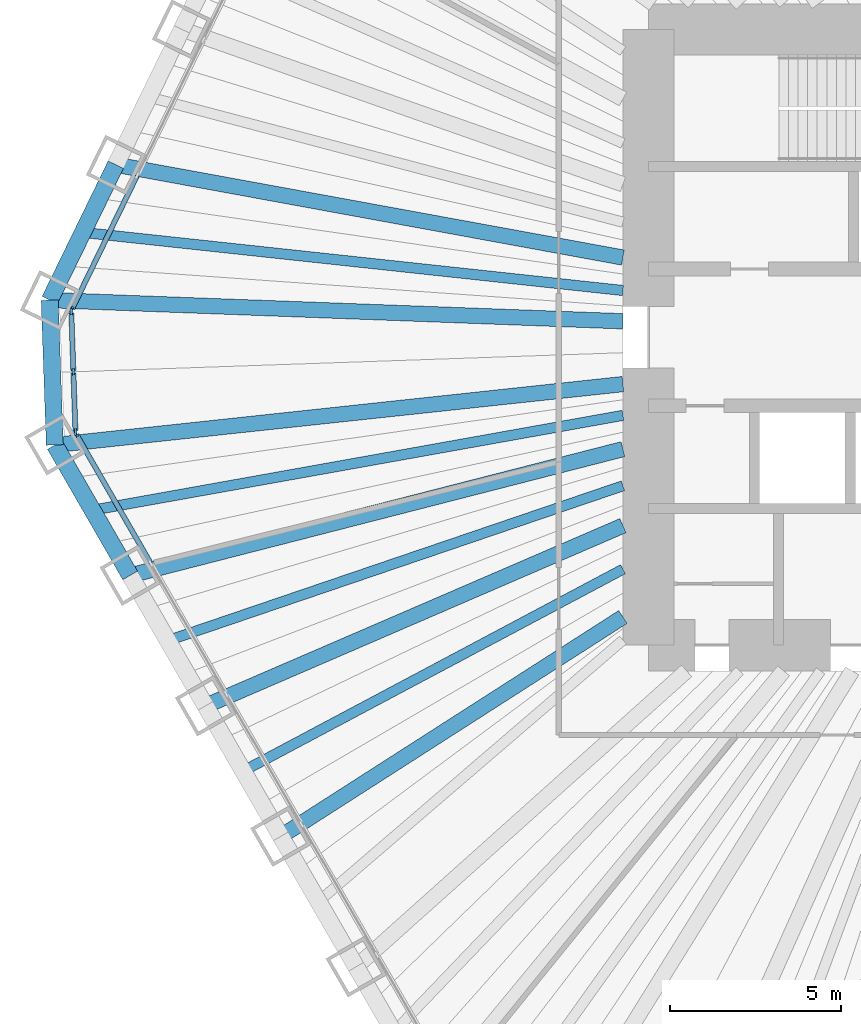
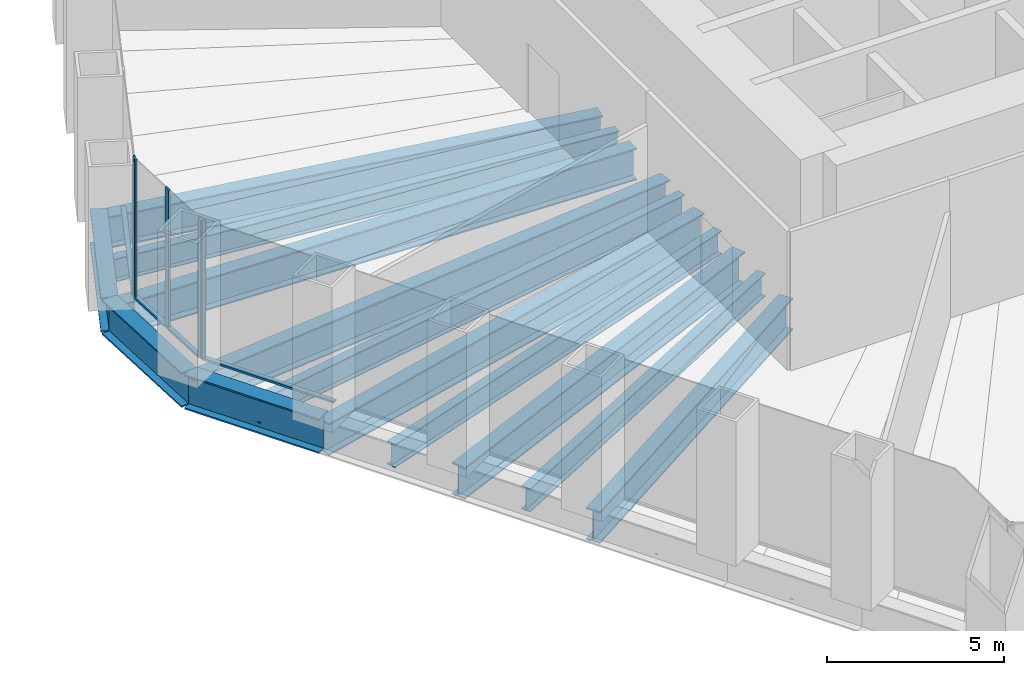
# One storey, part 3 of 13: 13 beams, 9 members, 3 elements without a shape of their own.
"""IFC4 building model written with IfcOpenShell, lengths in metres."""

from ifc_helpers import new_model, si_unit, direction, frame, origin, origin_2d, place, context, subcontext, project, spatial, rectangle, i_section, extrude, material, material_profile, profile_set, type_object, element, aggregate, save


model = new_model("IFC4")

# Units and contexts
model_context = context("Model", 3, precision=1e-05, world=origin(), true_north=direction((0.0, 1.0)))
body_context = subcontext(model_context, "Body", "Model", "MODEL_VIEW")
ifc_project = project(units=[si_unit("LENGTHUNIT", "METRE"), si_unit("AREAUNIT", "SQUARE_METRE"), si_unit("VOLUMEUNIT", "CUBIC_METRE"), si_unit("PLANEANGLEUNIT", "RADIAN"), si_unit("MASSUNIT", "GRAM", prefix="KILO")], contexts=[model_context])

# Site, building, storey
site_placement = place(None, origin())
site = spatial("IfcSite", under=ifc_project, at=site_placement, CompositionType="ELEMENT")
building_placement = place(site_placement, origin())
building = spatial("IfcBuilding", under=site, at=building_placement, Name="Qingtian Harvest Tower", CompositionType="ELEMENT")
storey_placement = place(building_placement, frame((0.0, 0.0, 72.0)))
storey = spatial("IfcBuildingStorey", under=building, at=storey_placement, Name="L14", CompositionType="ELEMENT", Elevation=72.0)

# Beams
ifc_material_1 = material(Name="Steel SM570MC", Category="steel")
ifc_material_profile_1 = material_profile(ifc_material_1, i_section(OverallWidth=0.449951171875, OverallDepth=1.10009765625, WebThickness=0.02197265625, FlangeThickness=0.044921875, at=origin_2d()), Name="H1100x450x22x45")
ifc_profile_set_1 = profile_set([ifc_material_profile_1], Name="Steel SM570MC")
beam_type_1 = type_object("IfcBeamType", Name="Corner floor beam FB8 H1100x450x22x45", PredefinedType="BEAM", material=ifc_profile_set_1)
beam_1_placement = place(storey_placement, frame((-29.36083984375, -3.145751953125, -0.75), z_axis=(0.994308822197, 0.106536219669, 0.0), x_axis=(-0.106536219669, 0.994308822197, 0.0)))
element("IfcBeam", 1, at=beam_1_placement, inside=storey, type_object=beam_type_1, Name="Floor beam FB8 SW6", PredefinedType="BEAM", context=body_context, shape_type="SweptSolid", body=[
    extrude(i_section(OverallWidth=0.449951171875, OverallDepth=1.10009765625, WebThickness=0.02197265625, FlangeThickness=0.044921875, at=origin_2d()), origin(), (0.0, 0.0, 1.0), 16.705810546875),
])
beam_2_placement = place(storey_placement, frame((-29.5087890625, 1.08984375, -0.75), z_axis=(0.999318796571, -0.036904509488, 0.0), x_axis=(0.036904509488, 0.999318796571, 0.0)))
element("IfcBeam", 2, at=beam_2_placement, inside=storey, type_object=beam_type_1, Name="Floor beam FB8 NW0", PredefinedType="BEAM", context=body_context, shape_type="SweptSolid", body=[
    extrude(i_section(OverallWidth=0.449951171875, OverallDepth=1.10009765625, WebThickness=0.02197265625, FlangeThickness=0.044921875, at=origin_2d()), origin(), (0.0, 0.0, 1.0), 16.770263671875),
])
ifc_material_2 = material(Name="Steel SM570MC", Category="steel")
ifc_material_profile_2 = material_profile(ifc_material_2, i_section(OverallWidth=0.449951171875, OverallDepth=1.10009765625, WebThickness=0.02197265625, FlangeThickness=0.044921875, at=origin_2d()), Name="H1100x450x22x45")
ifc_profile_set_2 = profile_set([ifc_material_profile_2], Name="Steel SM570MC")
beam_type_2 = type_object("IfcBeamType", Name="Floor beam FB1 H1100x450x22x45", PredefinedType="BEAM", material=ifc_profile_set_2)
beam_3_placement = place(storey_placement, frame((-22.75390625, -14.589111328125, -0.75), z_axis=(0.841829353865, 0.539743771591, 0.0), x_axis=(-0.539743771591, 0.841829353865, 0.0)))
element("IfcBeam", 3, at=beam_3_placement, inside=storey, type_object=beam_type_2, Name="Floor beam FB1 SW3", PredefinedType="BEAM", context=body_context, shape_type="SweptSolid", body=[
    extrude(i_section(OverallWidth=0.449951171875, OverallDepth=1.10009765625, WebThickness=0.02197265625, FlangeThickness=0.044921875, at=origin_2d()), origin(), (0.0, 0.0, 1.0), 11.883544921875),
])
beam_4_placement = place(storey_placement, frame((-24.9560546875, -10.774658203125, -0.75), z_axis=(0.918083617325, 0.396386770213, 0.0), x_axis=(-0.396386770213, 0.918083617325, 0.0)))
element("IfcBeam", 4, at=beam_4_placement, inside=storey, type_object=beam_type_2, Name="Floor beam FB1 SW4", PredefinedType="BEAM", context=body_context, shape_type="SweptSolid", body=[
    extrude(i_section(OverallWidth=0.449951171875, OverallDepth=1.10009765625, WebThickness=0.02197265625, FlangeThickness=0.044921875, at=origin_2d()), origin(), (0.0, 0.0, 1.0), 13.295166015625),
])
beam_5_placement = place(storey_placement, frame((-27.158447265625, -6.960205078125, -0.75), z_axis=(0.968693729942, 0.248258851947, 0.0), x_axis=(-0.248258851947, 0.968693729942, 0.0)))
element("IfcBeam", 5, at=beam_5_placement, inside=storey, type_object=beam_type_2, Name="Floor beam FB1 SW5", PredefinedType="BEAM", context=body_context, shape_type="SweptSolid", body=[
    extrude(i_section(OverallWidth=0.449951171875, OverallDepth=1.10009765625, WebThickness=0.02197265625, FlangeThickness=0.044921875, at=origin_2d()), origin(), (0.0, 0.0, 1.0), 14.8740234375),
])
beam_6_placement = place(storey_placement, frame((-27.577880859375, 5.048828125, -0.75), z_axis=(0.98365177106, -0.180081074215, 0.0), x_axis=(0.180081074215, 0.98365177106, 0.0)))
element("IfcBeam", 6, at=beam_6_placement, inside=storey, type_object=beam_type_2, Name="Floor beam FB1 NW1", PredefinedType="BEAM", context=body_context, shape_type="SweptSolid", body=[
    extrude(i_section(OverallWidth=0.449951171875, OverallDepth=1.10009765625, WebThickness=0.02197265625, FlangeThickness=0.044921875, at=origin_2d()), origin(), (0.0, 0.0, 1.0), 15.07421875),
])
ifc_material_3 = material(Name="Steel SN490B", Category="steel")
ifc_material_profile_3 = material_profile(ifc_material_3, i_section(OverallWidth=0.300048828125, OverallDepth=0.800048828125, WebThickness=0.013916015625, FlangeThickness=0.02587890625, at=origin_2d()), Name="H800x300x14x26")
ifc_profile_set_3 = profile_set([ifc_material_profile_3], Name="Steel SN490B")
beam_type_3 = type_object("IfcBeamType", Name="Floor joist J1 H800x300x14x26", PredefinedType="JOIST", material=ifc_profile_set_3)
beam_7_placement = place(storey_placement, frame((-23.85498046875, -12.681884765625, -0.60009765625), z_axis=(0.882982474604, 0.469405953885, 0.0), x_axis=(-0.469405953885, 0.882982474604, 0.0)))
element("IfcBeam", 7, at=beam_7_placement, inside=storey, type_object=beam_type_3, Name="Floor joist J1 SW3", PredefinedType="JOIST", context=body_context, shape_type="SweptSolid", body=[
    extrude(i_section(OverallWidth=0.300048828125, OverallDepth=0.800048828125, WebThickness=0.013916015625, FlangeThickness=0.02587890625, at=origin_2d()), origin(), (0.0, 0.0, 1.0), 12.57666015625),
])
beam_8_placement = place(storey_placement, frame((-26.057373046875, -8.867431640625, -0.60009765625), z_axis=(0.946684735425, 0.322161468387, 0.0), x_axis=(-0.322161468387, 0.946684735425, 0.0)))
element("IfcBeam", 8, at=beam_8_placement, inside=storey, type_object=beam_type_3, Name="Floor joist J1 SW4", PredefinedType="JOIST", context=body_context, shape_type="SweptSolid", body=[
    extrude(i_section(OverallWidth=0.300048828125, OverallDepth=0.800048828125, WebThickness=0.013916015625, FlangeThickness=0.02587890625, at=origin_2d()), origin(), (0.0, 0.0, 1.0), 14.056884765625),
])
beam_9_placement = place(storey_placement, frame((-28.259521484375, -5.052978515625, -0.60009765625), z_axis=(0.984387614034, 0.176014275943, 0.0), x_axis=(-0.176014275943, 0.984387614034, 0.0)))
element("IfcBeam", 9, at=beam_9_placement, inside=storey, type_object=beam_type_3, Name="Floor joist J1 SW5", PredefinedType="JOIST", context=body_context, shape_type="SweptSolid", body=[
    extrude(i_section(OverallWidth=0.300048828125, OverallDepth=0.800048828125, WebThickness=0.013916015625, FlangeThickness=0.02587890625, at=origin_2d()), origin(), (0.0, 0.0, 1.0), 15.755615234375),
])
beam_10_placement = place(storey_placement, frame((-28.543212890625, 3.0693359375, -0.60009765625), z_axis=(0.994268320665, -0.106913546948, 0.0), x_axis=(0.106913546948, 0.994268320665, 0.0)))
element("IfcBeam", 10, at=beam_10_placement, inside=storey, type_object=beam_type_3, Name="Floor joist J1 NW0", PredefinedType="JOIST", context=body_context, shape_type="SweptSolid", body=[
    extrude(i_section(OverallWidth=0.300048828125, OverallDepth=0.800048828125, WebThickness=0.013916015625, FlangeThickness=0.02587890625, at=origin_2d()), origin(), (0.0, 0.0, 1.0), 15.88427734375),
])

# Curtain wall, member
ifc_material_4 = material(Name="Bronze-anodised aluminium curtain wall", Category="aluminium")
curtain_wall_type = type_object("IfcCurtainWallType", Name="Curtain wall CW2 farm reception", PredefinedType="USERDEFINED", material=ifc_material_4)
curtain_wall_1_placement = place(storey_placement, origin())
curtain_wall_1 = element("IfcCurtainWall", 11, at=curtain_wall_1_placement, inside=storey, type_object=curtain_wall_type, Name="Curtain wall CW2 L14 SW0-5", ObjectType="RECESSED CURTAIN WALL", PredefinedType="USERDEFINED")
ifc_material_5 = material(Name="Bronze-anodised aluminium mullion", Category="aluminium")
ifc_material_profile_4 = material_profile(ifc_material_5, rectangle(XDim=0.06494140625, YDim=0.199951171875, at=origin_2d()), Name="AL 65x200")
ifc_profile_set_4 = profile_set([ifc_material_profile_4], Name="Bronze-anodised aluminium mullion")
member_type_1 = type_object("IfcMemberType", Name="Mullion CWM 65x200", PredefinedType="MULLION", material=ifc_profile_set_4)
member_1_placement = place(storey_placement, frame((-28.73828125, -2.82373046875, 0.0), z_axis=(0.0, 0.0, 1.0), x_axis=(-0.866025403784, -0.5, 0.0)))
member_1 = element("IfcMember", 12, at=member_1_placement, type_object=member_type_1, Name="CW2 mullion 7", PredefinedType="MULLION", context=body_context, shape_type="SweptSolid", body=[
    extrude(rectangle(XDim=0.06494140625, YDim=0.199951171875, at=origin_2d()), origin(), (0.0, 0.0, 1.0), 4.800048828125),
])

# Curtain wall, members
curtain_wall_2_placement = place(storey_placement, origin())
curtain_wall_2 = element("IfcCurtainWall", 13, at=curtain_wall_2_placement, inside=storey, type_object=curtain_wall_type, Name="Curtain wall CW2 L14 SWC", ObjectType="RECESSED CURTAIN WALL", PredefinedType="USERDEFINED")
member_2_placement = place(storey_placement, frame((-28.755615234375, -2.76318359375, 0.0), z_axis=(0.0, 0.0, 1.0), x_axis=(-0.999390827019, -0.034899496703, 0.0)))
member_2 = element("IfcMember", 14, at=member_2_placement, type_object=member_type_1, Name="CW2 mullion 1", PredefinedType="MULLION", context=body_context, shape_type="SweptSolid", body=[
    extrude(rectangle(XDim=0.06494140625, YDim=0.199951171875, at=origin_2d()), origin(), (0.0, 0.0, 1.0), 4.800048828125),
])
member_3_placement = place(storey_placement, frame((-28.817138671875, -1.00634765625, 0.0), z_axis=(0.0, 0.0, 1.0), x_axis=(-0.999390827019, -0.034899496703, 0.0)))
member_3 = element("IfcMember", 15, at=member_3_placement, type_object=member_type_1, Name="CW2 mullion 2", PredefinedType="MULLION", context=body_context, shape_type="SweptSolid", body=[
    extrude(rectangle(XDim=0.06494140625, YDim=0.199951171875, at=origin_2d()), origin(), (0.0, 0.0, 1.0), 4.800048828125),
])
member_4_placement = place(storey_placement, frame((-28.87841796875, 0.75048828125, 0.0), z_axis=(0.0, 0.0, 1.0), x_axis=(-0.999390827019, -0.034899496703, 0.0)))
member_4 = element("IfcMember", 16, at=member_4_placement, type_object=member_type_1, Name="CW2 mullion 3", PredefinedType="MULLION", context=body_context, shape_type="SweptSolid", body=[
    extrude(rectangle(XDim=0.06494140625, YDim=0.199951171875, at=origin_2d()), origin(), (0.0, 0.0, 1.0), 4.800048828125),
])

# Curtain wall, member
curtain_wall_3_placement = place(storey_placement, origin())
curtain_wall_3 = element("IfcCurtainWall", 17, at=curtain_wall_3_placement, inside=storey, type_object=curtain_wall_type, Name="Curtain wall CW2 L14 NW0-5", ObjectType="RECESSED CURTAIN WALL", PredefinedType="USERDEFINED")
member_5_placement = place(storey_placement, frame((-28.865234375, 0.812255859375, 0.0), z_axis=(0.0, 0.0, 1.0), x_axis=(-0.898794046299, 0.438371146789, 0.0)))
member_5 = element("IfcMember", 18, at=member_5_placement, type_object=member_type_1, Name="CW2 mullion 1", PredefinedType="MULLION", context=body_context, shape_type="SweptSolid", body=[
    extrude(rectangle(XDim=0.06494140625, YDim=0.199951171875, at=origin_2d()), origin(), (0.0, 0.0, 1.0), 4.800048828125),
])

# Beams
ifc_material_6 = material(Name="Steel SM570MC", Category="steel")
ifc_material_profile_5 = material_profile(ifc_material_6, i_section(OverallWidth=0.5, OverallDepth=1.199951171875, WebThickness=0.02490234375, FlangeThickness=0.050048828125, at=origin_2d()), Name="H1200x500x25x50")
ifc_profile_set_5 = profile_set([ifc_material_profile_5], Name="Steel SM570MC")
beam_type_4 = type_object("IfcBeamType", Name="Spandrel beam SB1 H1200x500x25x50", PredefinedType="SPANDREL", material=ifc_profile_set_5)
beam_11_placement = place(storey_placement, frame((-27.158447265625, -6.960205078125, -0.60009765625), z_axis=(-0.50001992892, 0.866013897511, 0.0), x_axis=(-0.866013897511, -0.50001992892, 0.0)))
element("IfcBeam", 19, at=beam_11_placement, inside=storey, type_object=beam_type_4, Name="Spandrel SB1 SW5", PredefinedType="SPANDREL", context=body_context, shape_type="SweptSolid", body=[
    extrude(i_section(OverallWidth=0.5, OverallDepth=1.199951171875, WebThickness=0.02490234375, FlangeThickness=0.050048828125, at=origin_2d()), origin(), (0.0, 0.0, 1.0), 4.404541015625),
])
beam_12_placement = place(storey_placement, frame((-29.36083984375, -3.145751953125, -0.60009765625), z_axis=(-0.034908677553, 0.999390506375, 0.0), x_axis=(-0.999390506375, -0.034908677553, 0.0)))
element("IfcBeam", 20, at=beam_12_placement, inside=storey, type_object=beam_type_4, Name="Spandrel SB1 SWC", PredefinedType="SPANDREL", context=body_context, shape_type="SweptSolid", body=[
    extrude(i_section(OverallWidth=0.5, OverallDepth=1.199951171875, WebThickness=0.02490234375, FlangeThickness=0.050048828125, at=origin_2d()), origin(), (0.0, 0.0, 1.0), 4.23828125),
])
beam_13_placement = place(storey_placement, frame((-29.5087890625, 1.08984375, -0.60009765625), z_axis=(0.438367938366, 0.898795611145, 0.0), x_axis=(-0.898795611145, 0.438367938366, 0.0)))
element("IfcBeam", 21, at=beam_13_placement, inside=storey, type_object=beam_type_4, Name="Spandrel SB1 NW0", PredefinedType="SPANDREL", context=body_context, shape_type="SweptSolid", body=[
    extrude(i_section(OverallWidth=0.5, OverallDepth=1.199951171875, WebThickness=0.02490234375, FlangeThickness=0.050048828125, at=origin_2d()), origin(), (0.0, 0.0, 1.0), 4.40478515625),
])

# Member
ifc_material_7 = material(Name="Bronze-anodised aluminium transom", Category="aluminium")
ifc_material_profile_6 = material_profile(ifc_material_7, rectangle(XDim=0.14990234375, YDim=0.06494140625, at=origin_2d()), Name="AL 65x150")
ifc_profile_set_6 = profile_set([ifc_material_profile_6], Name="Bronze-anodised aluminium transom")
member_type_2 = type_object("IfcMemberType", Name="Transom CWT 65x150", PredefinedType="USERDEFINED", material=ifc_profile_set_6)
member_6_placement = place(storey_placement, frame((-26.568603515625, -6.58203125, 0.032470703125), z_axis=(-0.499967798808, 0.866043994353, 0.0), x_axis=(-0.866043994353, -0.499967798808, 0.0)))
member_6 = element("IfcMember", 22, at=member_6_placement, type_object=member_type_2, Name="CW2 transom 6.1", ObjectType="TRANSOM", PredefinedType="USERDEFINED", context=body_context, shape_type="SweptSolid", body=[
    extrude(rectangle(XDim=0.14990234375, YDim=0.06494140625, at=origin_2d()), origin(), (0.0, 0.0, 1.0), 4.306884765625),
])

aggregate(curtain_wall_1, [member_1, member_6])

member_7_placement = place(storey_placement, frame((-28.7568359375, -2.730712890625, 0.032470703125), z_axis=(-0.034899362377, 0.99939083171, 0.0), x_axis=(-0.99939083171, -0.034899362377, 0.0)))
member_7 = element("IfcMember", 23, at=member_7_placement, type_object=member_type_2, Name="CW2 transom 1.1", ObjectType="TRANSOM", PredefinedType="USERDEFINED", context=body_context, shape_type="SweptSolid", body=[
    extrude(rectangle(XDim=0.14990234375, YDim=0.06494140625, at=origin_2d()), origin(), (0.0, 0.0, 1.0), 1.69287109375),
])

member_8_placement = place(storey_placement, frame((-28.818115234375, -0.973876953125, 0.032470703125), z_axis=(-0.034899362377, 0.99939083171, 0.0), x_axis=(-0.99939083171, -0.034899362377, 0.0)))
member_8 = element("IfcMember", 24, at=member_8_placement, type_object=member_type_2, Name="CW2 transom 2.1", ObjectType="TRANSOM", PredefinedType="USERDEFINED", context=body_context, shape_type="SweptSolid", body=[
    extrude(rectangle(XDim=0.14990234375, YDim=0.06494140625, at=origin_2d()), origin(), (0.0, 0.0, 1.0), 1.69287109375),
])

aggregate(curtain_wall_2, [member_2, member_3, member_4, member_7, member_8])

member_9_placement = place(storey_placement, frame((-28.85107421875, 0.841552734375, 0.032470703125), z_axis=(0.438394595167, 0.898782609383, 0.0), x_axis=(-0.898782609383, 0.438394595167, 0.0)))
member_9 = element("IfcMember", 25, at=member_9_placement, type_object=member_type_2, Name="CW2 transom 1.1", ObjectType="TRANSOM", PredefinedType="USERDEFINED", context=body_context, shape_type="SweptSolid", body=[
    extrude(rectangle(XDim=0.14990234375, YDim=0.06494140625, at=origin_2d()), origin(), (0.0, 0.0, 1.0), 4.30712890625),
])

aggregate(curtain_wall_3, [member_5, member_9])

save(model, "model.ifc")
